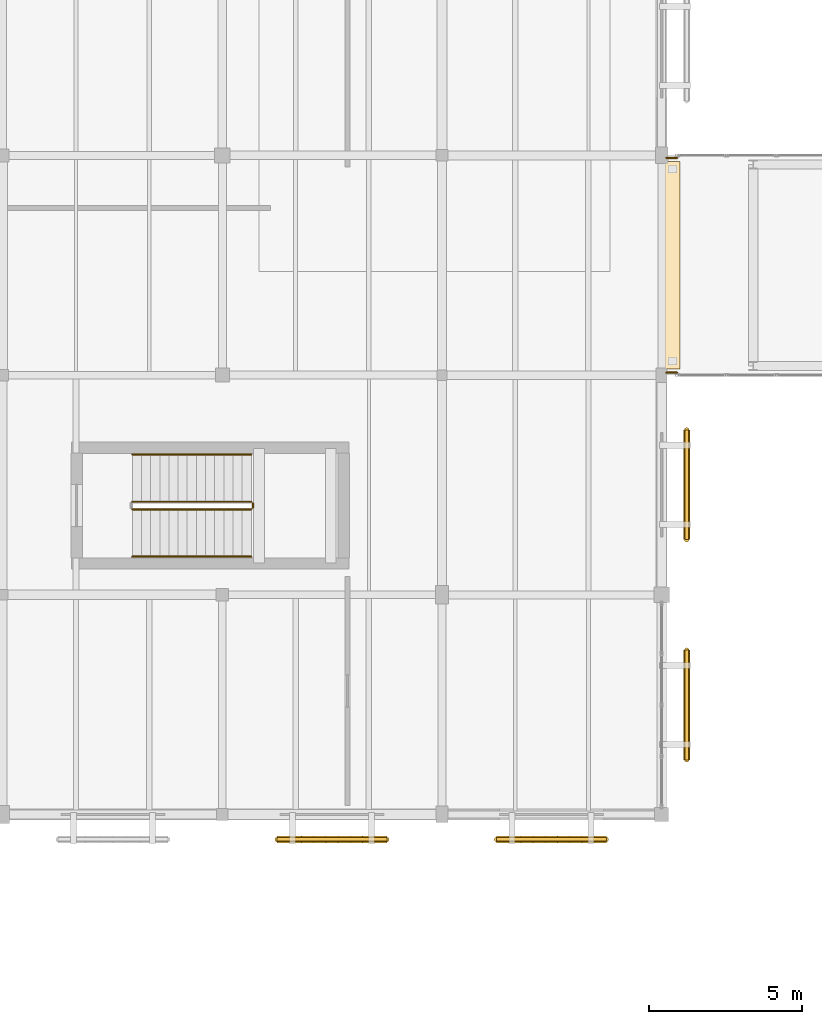
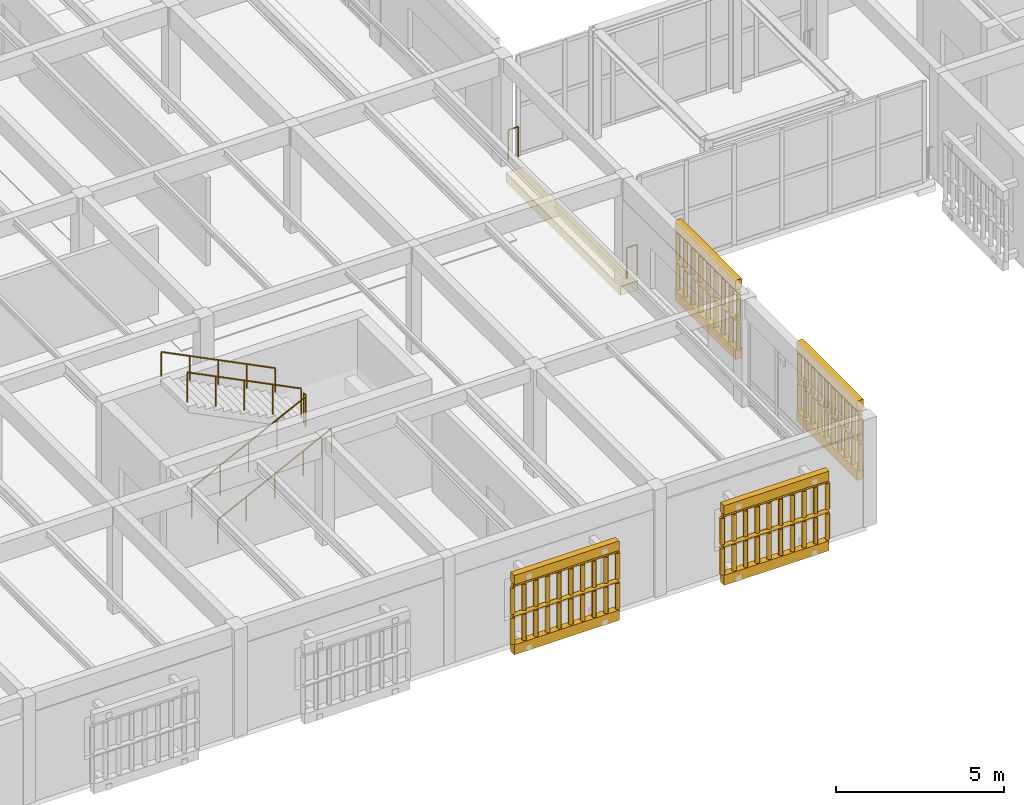
# One storey, part 198 of 217: 15 railings, 9 coverings.
"""IFC4 building model written with IfcOpenShell, lengths in metres."""

from ifc_helpers import new_model, si_unit, direction, frame, origin, origin_2d, place, context, subcontext, project, spatial, polyline, circle, outline, extrude, material, layer, layer_set, type_object, element, save


model = new_model("IFC4")

# Units and contexts
model_context = context("Model", 3, precision=1e-05, world=origin(), true_north=direction((0.0, 1.0)))
body_context = subcontext(model_context, "Body", "Model", "MODEL_VIEW")
ifc_project = project(units=[si_unit("LENGTHUNIT", "METRE"), si_unit("AREAUNIT", "SQUARE_METRE"), si_unit("VOLUMEUNIT", "CUBIC_METRE"), si_unit("PLANEANGLEUNIT", "RADIAN"), si_unit("MASSUNIT", "GRAM", prefix="KILO")], contexts=[model_context])

# Site, building, storey
site_placement = place(None, origin())
site = spatial("IfcSite", under=ifc_project, at=site_placement, CompositionType="ELEMENT")
building_placement = place(site_placement, origin())
building = spatial("IfcBuilding", under=site, at=building_placement, Name="Mazaris Harbour Polytechnic", CompositionType="ELEMENT")
storey_placement = place(building_placement, frame((0.0, 0.0, 9.60009765625)))
storey = spatial("IfcBuildingStorey", under=building, at=storey_placement, Name="L02", CompositionType="ELEMENT", Elevation=9.60009765625)

# Covering
ifc_material_1 = material(Name="Concrete C40/50", Category="concrete")
ifc_layer_1 = layer(ifc_material_1, 0.320068359375, Name="Concrete C40/50")
ifc_layer_set_1 = layer_set([ifc_layer_1], Name="Concrete C40/50")
covering_type_1 = type_object("IfcCoveringType", Name="Bridge Bearing Corbel 600 Exterior", PredefinedType="CLADDING", material=ifc_layer_set_1)
covering_1_placement = place(storey_placement, frame((0.0, 0.0, -0.650146484375)))
element("IfcCovering", 1, at=covering_1_placement, inside=storey, type_object=covering_type_1, Name="PB-W1 L02 600mm Bridge Bearing Seat Corbel W", PredefinedType="CLADDING", context=body_context, shape_type="SweptSolid", body=[
    extrude(outline(polyline([(43.199951171875, 21.800048828125), (43.800048828125, 21.800048828125), (43.800048828125, 28.60009765625), (43.199951171875, 28.60009765625), (43.199951171875, 21.800048828125)])), origin(), (0.0, 0.0, 1.0), 0.320068359375),
])

# Railings
ifc_material_2 = material(Name="Steel S355", Category="steel")
railing_type_1 = type_object("IfcRailingType", Name="Mezzanine Steel Guardrail 1100 Exterior", PredefinedType="GUARDRAIL", material=ifc_material_2)
for number, where, name in (
    (2, (43.35009765625, 21.679931640625, 0.0), "PB-W1 L02 Bridge End Guard W0"),
    (3, (43.35009765625, 28.719970703125, 0.0), "PB-W1 L02 Bridge End Guard W1"),
):
    element("IfcRailing", number, at=place(storey_placement, frame(where)), inside=storey, type_object=railing_type_1, Name=name, PredefinedType="GUARDRAIL", context=body_context, shape_type="SweptSolid", body=[
        extrude(circle(Radius=0.02392578125, at=origin_2d()), frame((0.0, 0.0, 1.09619140625), z_axis=(1.0, 0.0, 0.0), x_axis=(0.0, 1.0, 0.0)), (0.0, 0.0, 1.0), 0.349853515625),
        extrude(circle(Radius=0.02099609375, at=origin_2d()), origin(), (0.0, 0.0, 1.0), 1.072021484375),
        extrude(circle(Radius=0.02099609375, at=origin_2d()), frame((0.349853515625, 0.0, 0.0)), (0.0, 0.0, 1.0), 1.072021484375),
    ])
ifc_material_3 = material(Name="Perforated Earth-Coloured Terracotta Block", Category="masonry")
railing_type_2 = type_object("IfcRailingType", Name="Perforated Earth-Block Claustra Lattice 1040", PredefinedType="BALUSTRADE", material=ifc_material_3)
for number, where, name in (
    (4, (34.195068359375, 6.3798828125, 0.52001953125), "V4 L02 Lower Perforated Terracotta Block Screen 205"),
    (5, (34.195068359375, 6.3798828125, 1.60498046875), "V4 L02 Upper Perforated Terracotta Block Screen 205"),
):
    element("IfcRailing", number, at=place(storey_placement, frame(where)), inside=storey, type_object=railing_type_2, Name=name, PredefinedType="BALUSTRADE", context=body_context, shape_type="SweptSolid", body=[
        extrude(circle(Radius=0.06982421875, at=origin_2d()), frame((0.0, 0.0, 1.01513671875), z_axis=(-1.0, 0.0, 0.0), x_axis=(0.0, -1.0, 0.0)), (0.0, 0.0, 1.0), 3.60009765625),
        extrude(circle(Radius=0.074951171875, at=origin_2d()), origin(), (0.0, 0.0, 1.0), 0.945068359375),
        extrude(circle(Radius=0.074951171875, at=origin_2d()), frame((-0.39990234375, 0.0, 0.0)), (0.0, 0.0, 1.0), 0.945068359375),
        extrude(circle(Radius=0.074951171875, at=origin_2d()), frame((-0.800048828125, 0.0, 0.0)), (0.0, 0.0, 1.0), 0.945068359375),
        extrude(circle(Radius=0.074951171875, at=origin_2d()), frame((-1.199951171875, 0.0, 0.0)), (0.0, 0.0, 1.0), 0.945068359375),
        extrude(circle(Radius=0.074951171875, at=origin_2d()), frame((-1.60009765625, 0.0, 0.0)), (0.0, 0.0, 1.0), 0.945068359375),
        extrude(circle(Radius=0.074951171875, at=origin_2d()), frame((-2.0, 0.0, 0.0)), (0.0, 0.0, 1.0), 0.945068359375),
        extrude(circle(Radius=0.074951171875, at=origin_2d()), frame((-2.400146484375, 0.0, 0.0)), (0.0, 0.0, 1.0), 0.945068359375),
        extrude(circle(Radius=0.074951171875, at=origin_2d()), frame((-2.800048828125, 0.0, 0.0)), (0.0, 0.0, 1.0), 0.945068359375),
        extrude(circle(Radius=0.074951171875, at=origin_2d()), frame((-3.2001953125, 0.0, 0.0)), (0.0, 0.0, 1.0), 0.945068359375),
        extrude(circle(Radius=0.074951171875, at=origin_2d()), frame((-3.60009765625, 0.0, 0.0)), (0.0, 0.0, 1.0), 0.945068359375),
    ])
for number, where, name in (
    (6, (41.385009765625, 6.3798828125, 0.52001953125), "V4 L02 Lower Perforated Terracotta Block Screen 206"),
    (7, (41.385009765625, 6.3798828125, 1.60986328125), "V4 L02 Upper Perforated Terracotta Block Screen 206"),
):
    element("IfcRailing", number, at=place(storey_placement, frame(where)), inside=storey, type_object=railing_type_2, Name=name, PredefinedType="BALUSTRADE", context=body_context, shape_type="SweptSolid", body=[
        extrude(circle(Radius=0.06982421875, at=origin_2d()), frame((0.0, 0.0, 1.02001953125), z_axis=(-1.0, 0.0, 0.0), x_axis=(0.0, -1.0, 0.0)), (0.0, 0.0, 1.0), 3.60009765625),
        extrude(circle(Radius=0.074951171875, at=origin_2d()), origin(), (0.0, 0.0, 1.0), 0.9501953125),
        extrude(circle(Radius=0.074951171875, at=origin_2d()), frame((-0.39990234375, 0.0, 0.0)), (0.0, 0.0, 1.0), 0.9501953125),
        extrude(circle(Radius=0.074951171875, at=origin_2d()), frame((-0.800048828125, 0.0, 0.0)), (0.0, 0.0, 1.0), 0.9501953125),
        extrude(circle(Radius=0.074951171875, at=origin_2d()), frame((-1.199951171875, 0.0, 0.0)), (0.0, 0.0, 1.0), 0.9501953125),
        extrude(circle(Radius=0.074951171875, at=origin_2d()), frame((-1.60009765625, 0.0, 0.0)), (0.0, 0.0, 1.0), 0.9501953125),
        extrude(circle(Radius=0.074951171875, at=origin_2d()), frame((-2.0, 0.0, 0.0)), (0.0, 0.0, 1.0), 0.9501953125),
        extrude(circle(Radius=0.074951171875, at=origin_2d()), frame((-2.400146484375, 0.0, 0.0)), (0.0, 0.0, 1.0), 0.9501953125),
        extrude(circle(Radius=0.074951171875, at=origin_2d()), frame((-2.800048828125, 0.0, 0.0)), (0.0, 0.0, 1.0), 0.9501953125),
        extrude(circle(Radius=0.074951171875, at=origin_2d()), frame((-3.2001953125, 0.0, 0.0)), (0.0, 0.0, 1.0), 0.9501953125),
        extrude(circle(Radius=0.074951171875, at=origin_2d()), frame((-3.60009765625, 0.0, 0.0)), (0.0, 0.0, 1.0), 0.9501953125),
    ])
for number, where, name in (
    (8, (44.02001953125, 12.590087890625, 0.52001953125), "V4 L02 Lower Perforated Terracotta Block Screen 225"),
    (9, (44.02001953125, 12.590087890625, 1.60986328125), "V4 L02 Upper Perforated Terracotta Block Screen 225"),
):
    element("IfcRailing", number, at=place(storey_placement, frame(where)), inside=storey, type_object=railing_type_2, Name=name, PredefinedType="BALUSTRADE", context=body_context, shape_type="SweptSolid", body=[
        extrude(circle(Radius=0.06982421875, at=origin_2d()), frame((0.0, 0.0, 1.02001953125), z_axis=(0.0, -1.0, 0.0), x_axis=(1.0, 0.0, 0.0)), (0.0, 0.0, 1.0), 3.60009765625),
        extrude(circle(Radius=0.074951171875, at=origin_2d()), origin(), (0.0, 0.0, 1.0), 0.9501953125),
        extrude(circle(Radius=0.074951171875, at=origin_2d()), frame((0.0, -0.39990234375, 0.0)), (0.0, 0.0, 1.0), 0.9501953125),
        extrude(circle(Radius=0.074951171875, at=origin_2d()), frame((0.0, -0.800048828125, 0.0)), (0.0, 0.0, 1.0), 0.9501953125),
        extrude(circle(Radius=0.074951171875, at=origin_2d()), frame((0.0, -1.199951171875, 0.0)), (0.0, 0.0, 1.0), 0.9501953125),
        extrude(circle(Radius=0.074951171875, at=origin_2d()), frame((0.0, -1.60009765625, 0.0)), (0.0, 0.0, 1.0), 0.9501953125),
        extrude(circle(Radius=0.074951171875, at=origin_2d()), frame((0.0, -2.0, 0.0)), (0.0, 0.0, 1.0), 0.9501953125),
        extrude(circle(Radius=0.074951171875, at=origin_2d()), frame((0.0, -2.400146484375, 0.0)), (0.0, 0.0, 1.0), 0.9501953125),
        extrude(circle(Radius=0.074951171875, at=origin_2d()), frame((0.0, -2.800048828125, 0.0)), (0.0, 0.0, 1.0), 0.9501953125),
        extrude(circle(Radius=0.074951171875, at=origin_2d()), frame((0.0, -3.2001953125, 0.0)), (0.0, 0.0, 1.0), 0.9501953125),
        extrude(circle(Radius=0.074951171875, at=origin_2d()), frame((0.0, -3.60009765625, 0.0)), (0.0, 0.0, 1.0), 0.9501953125),
    ])
for number, where, name in (
    (10, (44.02001953125, 19.804931640625, 0.52001953125), "V4 L02 Lower Perforated Terracotta Block Screen 226"),
    (11, (44.02001953125, 19.804931640625, 1.60498046875), "V4 L02 Upper Perforated Terracotta Block Screen 226"),
):
    element("IfcRailing", number, at=place(storey_placement, frame(where)), inside=storey, type_object=railing_type_2, Name=name, PredefinedType="BALUSTRADE", context=body_context, shape_type="SweptSolid", body=[
        extrude(circle(Radius=0.06982421875, at=origin_2d()), frame((0.0, 0.0, 1.01513671875), z_axis=(0.0, -1.0, 0.0), x_axis=(1.0, 0.0, 0.0)), (0.0, 0.0, 1.0), 3.599853515625),
        extrude(circle(Radius=0.074951171875, at=origin_2d()), origin(), (0.0, 0.0, 1.0), 0.945068359375),
        extrude(circle(Radius=0.074951171875, at=origin_2d()), frame((0.0, -0.449951171875, 0.0)), (0.0, 0.0, 1.0), 0.945068359375),
        extrude(circle(Radius=0.074951171875, at=origin_2d()), frame((0.0, -0.89990234375, 0.0)), (0.0, 0.0, 1.0), 0.945068359375),
        extrude(circle(Radius=0.074951171875, at=origin_2d()), frame((0.0, -1.349853515625, 0.0)), (0.0, 0.0, 1.0), 0.945068359375),
        extrude(circle(Radius=0.074951171875, at=origin_2d()), frame((0.0, -1.7998046875, 0.0)), (0.0, 0.0, 1.0), 0.945068359375),
        extrude(circle(Radius=0.074951171875, at=origin_2d()), frame((0.0, -2.25, 0.0)), (0.0, 0.0, 1.0), 0.945068359375),
        extrude(circle(Radius=0.074951171875, at=origin_2d()), frame((0.0, -2.699951171875, 0.0)), (0.0, 0.0, 1.0), 0.945068359375),
        extrude(circle(Radius=0.074951171875, at=origin_2d()), frame((0.0, -3.14990234375, 0.0)), (0.0, 0.0, 1.0), 0.945068359375),
        extrude(circle(Radius=0.074951171875, at=origin_2d()), frame((0.0, -3.599853515625, 0.0)), (0.0, 0.0, 1.0), 0.945068359375),
    ])
ifc_material_4 = material(Name="Stainless Steel S355", Category="steel")
railing_type_3 = type_object("IfcRailingType", Name="Stair Wall Handrail 900", PredefinedType="HANDRAIL", material=ifc_material_4)
railing_1_placement = place(storey_placement, frame((25.85009765625, 15.64990234375, 0.14990234375)))
element("IfcRailing", 12, at=railing_1_placement, inside=storey, type_object=railing_type_3, Name="L02 ST08 stair handrail 1", PredefinedType="HANDRAIL", context=body_context, shape_type="SweptSolid", body=[
    extrude(circle(Radius=0.02392578125, at=origin_2d()), frame((0.0, 0.0, 0.8759765625), z_axis=(0.894427191, 0.0, 0.4472135955), x_axis=(0.0, 1.0, 0.0)), (0.0, 0.0, 1.0), 4.360107421875),
    extrude(circle(Radius=0.02099609375, at=origin_2d()), origin(), (0.0, 0.0, 1.0), 0.851806640625),
    extrude(circle(Radius=0.02099609375, at=origin_2d()), frame((0.97509765625, 0.0, 0.487548828125)), (0.0, 0.0, 1.0), 0.851806640625),
    extrude(circle(Radius=0.02099609375, at=origin_2d()), frame((1.949951171875, 0.0, 0.97509765625)), (0.0, 0.0, 1.0), 0.851806640625),
    extrude(circle(Radius=0.02099609375, at=origin_2d()), frame((2.9248046875, 0.0, 1.46240234375)), (0.0, 0.0, 1.0), 0.851806640625),
    extrude(circle(Radius=0.02099609375, at=origin_2d()), frame((3.89990234375, 0.0, 1.949951171875)), (0.0, 0.0, 1.0), 0.851806640625),
])
railing_2_placement = place(storey_placement, frame((29.75, 19.0, 2.25)))
element("IfcRailing", 13, at=railing_2_placement, inside=storey, type_object=railing_type_3, Name="L02 ST08 stair handrail 2", PredefinedType="HANDRAIL", context=body_context, shape_type="SweptSolid", body=[
    extrude(circle(Radius=0.02392578125, at=origin_2d()), frame((0.0, 0.0, 0.8759765625), z_axis=(-0.894427191, 0.0, 0.4472135955), x_axis=(0.0, -1.0, 0.0)), (0.0, 0.0, 1.0), 4.360107421875),
    extrude(circle(Radius=0.02099609375, at=origin_2d()), origin(), (0.0, 0.0, 1.0), 0.851806640625),
    extrude(circle(Radius=0.02099609375, at=origin_2d()), frame((-0.97509765625, 0.0, 0.487548828125)), (0.0, 0.0, 1.0), 0.851806640625),
    extrude(circle(Radius=0.02099609375, at=origin_2d()), frame((-1.949951171875, 0.0, 0.97509765625)), (0.0, 0.0, 1.0), 0.851806640625),
    extrude(circle(Radius=0.02099609375, at=origin_2d()), frame((-2.9248046875, 0.0, 1.46240234375)), (0.0, 0.0, 1.0), 0.851806640625),
    extrude(circle(Radius=0.02099609375, at=origin_2d()), frame((-3.89990234375, 0.0, 1.949951171875)), (0.0, 0.0, 1.0), 0.851806640625),
])
ifc_material_5 = material(Name="Steel S355", Category="steel")
railing_type_4 = type_object("IfcRailingType", Name="Stair Well Guardrail 1100", PredefinedType="GUARDRAIL", material=ifc_material_5)
railing_3_placement = place(storey_placement, frame((25.85009765625, 17.199951171875, 0.14990234375)))
element("IfcRailing", 14, at=railing_3_placement, inside=storey, type_object=railing_type_4, Name="L02 ST08 stair guard 1", PredefinedType="GUARDRAIL", context=body_context, shape_type="SweptSolid", body=[
    extrude(circle(Radius=0.02392578125, at=origin_2d()), frame((0.0, 0.0, 1.076171875), z_axis=(0.894427191, 0.0, 0.4472135955), x_axis=(0.0, 1.0, 0.0)), (0.0, 0.0, 1.0), 4.360107421875),
    extrude(circle(Radius=0.02099609375, at=origin_2d()), origin(), (0.0, 0.0, 1.0), 1.052001953125),
    extrude(circle(Radius=0.02099609375, at=origin_2d()), frame((0.97509765625, 0.0, 0.487548828125)), (0.0, 0.0, 1.0), 1.052001953125),
    extrude(circle(Radius=0.02099609375, at=origin_2d()), frame((1.949951171875, 0.0, 0.97509765625)), (0.0, 0.0, 1.0), 1.052001953125),
    extrude(circle(Radius=0.02099609375, at=origin_2d()), frame((2.9248046875, 0.0, 1.46240234375)), (0.0, 0.0, 1.0), 1.052001953125),
    extrude(circle(Radius=0.02099609375, at=origin_2d()), frame((3.89990234375, 0.0, 1.949951171875)), (0.0, 0.0, 1.0), 1.052001953125),
])
railing_4_placement = place(storey_placement, frame((29.800048828125, 17.25, 2.099853515625)))
element("IfcRailing", 15, at=railing_4_placement, inside=storey, type_object=railing_type_4, Name="L02 ST08 stair guard 2", PredefinedType="GUARDRAIL", context=body_context, shape_type="SweptSolid", body=[
    extrude(circle(Radius=0.02392578125, at=origin_2d()), frame((0.0, 0.0, 1.076171875), z_axis=(0.0, 1.0, 0.0), x_axis=(-1.0, 0.0, 0.0)), (0.0, 0.0, 1.0), 0.14990234375),
    extrude(circle(Radius=0.02099609375, at=origin_2d()), origin(), (0.0, 0.0, 1.0), 1.052001953125),
    extrude(circle(Radius=0.02099609375, at=origin_2d()), frame((0.0, 0.14990234375, 0.0)), (0.0, 0.0, 1.0), 1.052001953125),
])
railing_5_placement = place(storey_placement, frame((29.75, 17.449951171875, 2.25)))
element("IfcRailing", 16, at=railing_5_placement, inside=storey, type_object=railing_type_4, Name="L02 ST08 stair guard 3", PredefinedType="GUARDRAIL", context=body_context, shape_type="SweptSolid", body=[
    extrude(circle(Radius=0.02392578125, at=origin_2d()), frame((0.0, 0.0, 1.076171875), z_axis=(-0.894427191, 0.0, 0.4472135955), x_axis=(0.0, -1.0, 0.0)), (0.0, 0.0, 1.0), 4.360107421875),
    extrude(circle(Radius=0.02099609375, at=origin_2d()), origin(), (0.0, 0.0, 1.0), 1.052001953125),
    extrude(circle(Radius=0.02099609375, at=origin_2d()), frame((-0.97509765625, 0.0, 0.487548828125)), (0.0, 0.0, 1.0), 1.052001953125),
    extrude(circle(Radius=0.02099609375, at=origin_2d()), frame((-1.949951171875, 0.0, 0.97509765625)), (0.0, 0.0, 1.0), 1.052001953125),
    extrude(circle(Radius=0.02099609375, at=origin_2d()), frame((-2.9248046875, 0.0, 1.46240234375)), (0.0, 0.0, 1.0), 1.052001953125),
    extrude(circle(Radius=0.02099609375, at=origin_2d()), frame((-3.89990234375, 0.0, 1.949951171875)), (0.0, 0.0, 1.0), 1.052001953125),
])

# Coverings
ifc_material_6 = material(Name="Perforated Earth-Coloured Terracotta Block", Category="masonry")
ifc_layer_2 = layer(ifc_material_6, 0.219970703125, Name="Perforated Earth-Coloured Terracotta Block")
ifc_layer_set_2 = layer_set([ifc_layer_2], Name="Perforated Earth-Coloured Terracotta Block")
covering_type_2 = type_object("IfcCoveringType", Name="Terracotta Screen Course Cladding 220", PredefinedType="CLADDING", material=ifc_layer_set_2)
covering_2_placement = place(storey_placement, frame((0.0, 0.0, 0.159912109375)))
element("IfcCovering", 17, at=covering_2_placement, inside=storey, type_object=covering_type_2, Name="V4 L02 Perforated Screen Sill Course 205", PredefinedType="CLADDING", context=body_context, shape_type="SweptSolid", body=[
    extrude(outline(polyline([(34.195068359375, 6.489990234375), (30.594970703125, 6.489990234375), (30.594970703125, 6.27001953125), (34.195068359375, 6.27001953125), (34.195068359375, 6.489990234375)])), origin(), (0.0, 0.0, 1.0), 0.360107421875),
])
covering_3_placement = place(storey_placement, frame((0.0, 0.0, 2.68994140625)))
element("IfcCovering", 18, at=covering_3_placement, inside=storey, type_object=covering_type_2, Name="V4 L02 Perforated Screen Lintel Course 205", PredefinedType="CLADDING", context=body_context, shape_type="SweptSolid", body=[
    extrude(outline(polyline([(34.195068359375, 6.489990234375), (30.594970703125, 6.489990234375), (30.594970703125, 6.27001953125), (34.195068359375, 6.27001953125), (34.195068359375, 6.489990234375)])), origin(), (0.0, 0.0, 1.0), 0.33984375),
])
covering_4_placement = place(storey_placement, frame((0.0, 0.0, 0.159912109375)))
element("IfcCovering", 19, at=covering_4_placement, inside=storey, type_object=covering_type_2, Name="V4 L02 Perforated Screen Sill Course 206", PredefinedType="CLADDING", context=body_context, shape_type="SweptSolid", body=[
    extrude(outline(polyline([(41.385009765625, 6.489990234375), (37.784912109375, 6.489990234375), (37.784912109375, 6.27001953125), (41.385009765625, 6.27001953125), (41.385009765625, 6.489990234375)])), origin(), (0.0, 0.0, 1.0), 0.360107421875),
])
covering_5_placement = place(storey_placement, frame((0.0, 0.0, 2.699951171875)))
element("IfcCovering", 20, at=covering_5_placement, inside=storey, type_object=covering_type_2, Name="V4 L02 Perforated Screen Lintel Course 206", PredefinedType="CLADDING", context=body_context, shape_type="SweptSolid", body=[
    extrude(outline(polyline([(41.385009765625, 6.489990234375), (37.784912109375, 6.489990234375), (37.784912109375, 6.27001953125), (41.385009765625, 6.27001953125), (41.385009765625, 6.489990234375)])), origin(), (0.0, 0.0, 1.0), 0.33984375),
])
covering_6_placement = place(storey_placement, frame((0.0, 0.0, 0.159912109375)))
element("IfcCovering", 21, at=covering_6_placement, inside=storey, type_object=covering_type_2, Name="V4 L02 Perforated Screen Sill Course 225", PredefinedType="CLADDING", context=body_context, shape_type="SweptSolid", body=[
    extrude(outline(polyline([(43.909912109375, 12.590087890625), (43.909912109375, 8.989990234375), (44.1298828125, 8.989990234375), (44.1298828125, 12.590087890625), (43.909912109375, 12.590087890625)])), origin(), (0.0, 0.0, 1.0), 0.360107421875),
])
covering_7_placement = place(storey_placement, frame((0.0, 0.0, 2.699951171875)))
element("IfcCovering", 22, at=covering_7_placement, inside=storey, type_object=covering_type_2, Name="V4 L02 Perforated Screen Lintel Course 225", PredefinedType="CLADDING", context=body_context, shape_type="SweptSolid", body=[
    extrude(outline(polyline([(43.909912109375, 12.590087890625), (43.909912109375, 8.989990234375), (44.1298828125, 8.989990234375), (44.1298828125, 12.590087890625), (43.909912109375, 12.590087890625)])), origin(), (0.0, 0.0, 1.0), 0.33984375),
])
covering_8_placement = place(storey_placement, frame((0.0, 0.0, 0.159912109375)))
element("IfcCovering", 23, at=covering_8_placement, inside=storey, type_object=covering_type_2, Name="V4 L02 Perforated Screen Sill Course 226", PredefinedType="CLADDING", context=body_context, shape_type="SweptSolid", body=[
    extrude(outline(polyline([(43.909912109375, 19.804931640625), (43.909912109375, 16.205078125), (44.1298828125, 16.205078125), (44.1298828125, 19.804931640625), (43.909912109375, 19.804931640625)])), origin(), (0.0, 0.0, 1.0), 0.360107421875),
])
covering_9_placement = place(storey_placement, frame((0.0, 0.0, 2.68994140625)))
element("IfcCovering", 24, at=covering_9_placement, inside=storey, type_object=covering_type_2, Name="V4 L02 Perforated Screen Lintel Course 226", PredefinedType="CLADDING", context=body_context, shape_type="SweptSolid", body=[
    extrude(outline(polyline([(43.909912109375, 19.804931640625), (43.909912109375, 16.205078125), (44.1298828125, 16.205078125), (44.1298828125, 19.804931640625), (43.909912109375, 19.804931640625)])), origin(), (0.0, 0.0, 1.0), 0.33984375),
])

save(model, "model.ifc")
